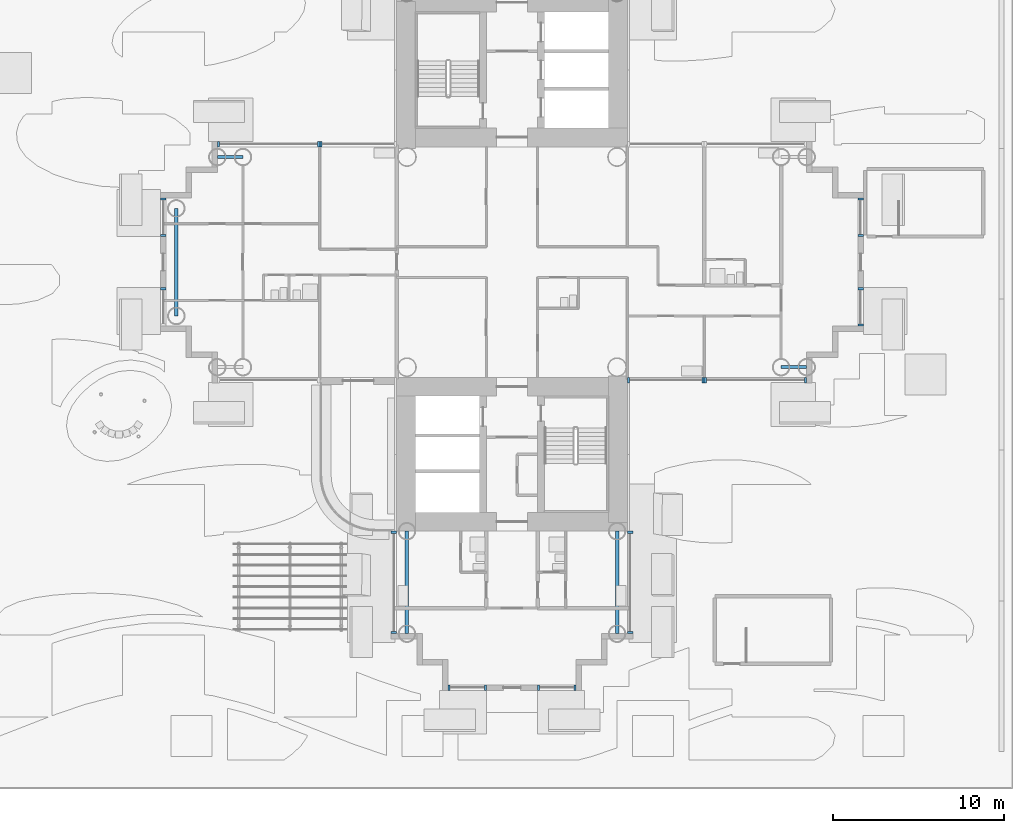
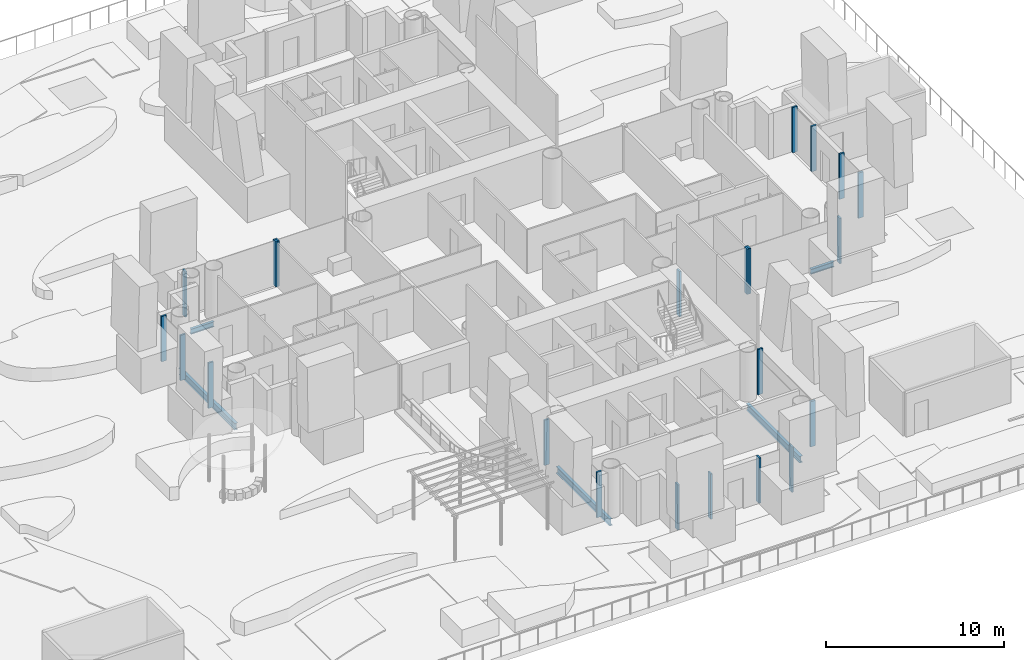
# One storey, part 15 of 40: 22 members, 5 beams, 12 elements without a shape of their own.
"""IFC4 building model written with IfcOpenShell, lengths in metres."""

from ifc_helpers import new_model, si_unit, direction, frame, origin, origin_2d, place, context, subcontext, project, spatial, rectangle, i_section, extrude, material, layer, layer_set, material_profile, profile_set, type_object, element, aggregate, save


model = new_model("IFC4")

# Units and contexts
model_context = context("Model", 3, precision=1e-05, world=origin(), true_north=direction((0.0, 1.0)))
body_context = subcontext(model_context, "Body", "Model", "MODEL_VIEW")
ifc_project = project(units=[si_unit("LENGTHUNIT", "METRE"), si_unit("AREAUNIT", "SQUARE_METRE"), si_unit("VOLUMEUNIT", "CUBIC_METRE"), si_unit("PLANEANGLEUNIT", "RADIAN"), si_unit("MASSUNIT", "GRAM", prefix="KILO")], contexts=[model_context])

# Site, building, storey
site_placement = place(None, origin())
site = spatial("IfcSite", under=ifc_project, at=site_placement, CompositionType="ELEMENT")
building_placement = place(site_placement, origin())
building = spatial("IfcBuilding", under=site, at=building_placement, Name="Ipe Terrace Towers", CompositionType="ELEMENT")
storey_placement = place(building_placement, frame((0.0, 0.0, 24.5)))
storey = spatial("IfcBuildingStorey", under=building, at=storey_placement, Name="L05", CompositionType="ELEMENT", Elevation=24.5)

# Beams
ifc_material_1 = material(Name="Steel S355", Category="steel")
ifc_material_profile_1 = material_profile(ifc_material_1, i_section(OverallWidth=0.175048828125, OverallDepth=0.35009765625, WebThickness=0.007080078125, FlangeThickness=0.010986328125, at=origin_2d()), Name="H-350x175x7x11")
ifc_profile_set_1 = profile_set([ifc_material_profile_1], Name="Steel S355")
beam_type_1 = type_object("IfcBeamType", Name="H04 EDGE BEAM H-350x175x7x11", PredefinedType="BEAM", material=ifc_profile_set_1)
for number, where, z_axis, x_axis, name in (
    (1, (20.25, 6.14990234375, -0.574951171875), (-1.0, 0.0, 0.0), (0.0, -1.0, 0.0), "Edge beam T2-EB-B03-B05"),
    (2, (51.75, -6.14990234375, -0.574951171875), (1.0, 0.0, 0.0), (0.0, 1.0, 0.0), "Edge beam T2-EB-D03-D05"),
):
    element("IfcBeam", number, at=place(storey_placement, frame(where, z_axis=z_axis, x_axis=x_axis)), inside=storey, type_object=beam_type_1, Name=name, PredefinedType="BEAM", context=body_context, shape_type="SweptSolid", body=[
        extrude(i_section(OverallWidth=0.175048828125, OverallDepth=0.35009765625, WebThickness=0.007080078125, FlangeThickness=0.010986328125, at=origin_2d()), origin(), (0.0, 0.0, 1.0), 1.5),
    ])
ifc_material_2 = material(Name="Steel S355", Category="steel")
ifc_material_profile_2 = material_profile(ifc_material_2, i_section(OverallWidth=0.199951171875, OverallDepth=0.449951171875, WebThickness=0.009033203125, FlangeThickness=0.013916015625, at=origin_2d()), Name="H-450x200x9x14")
ifc_profile_set_2 = profile_set([ifc_material_profile_2], Name="Steel S355")
beam_type_2 = type_object("IfcBeamType", Name="H08 EDGE BEAM H-450x200x9x14", PredefinedType="BEAM", material=ifc_profile_set_2)
beam_placement = place(storey_placement, frame((16.35009765625, 3.14990234375, -0.625), z_axis=(0.0, -1.0, 0.0), x_axis=(1.0, 0.0, 0.0)))
element("IfcBeam", 3, at=beam_placement, inside=storey, type_object=beam_type_2, Name="Edge beam T2-EB-B07-B08", PredefinedType="BEAM", context=body_context, shape_type="SweptSolid", body=[
    extrude(i_section(OverallWidth=0.199951171875, OverallDepth=0.449951171875, WebThickness=0.009033203125, FlangeThickness=0.013916015625, at=origin_2d()), origin(), (0.0, 0.0, 1.0), 6.2998046875),
])
for number, where, z_axis, x_axis, name in (
    (4, (42.14990234375, -15.75, -0.625), (0.0, -1.0, 0.0), (1.0, 0.0, 0.0), "Edge beam T2-EB-C01-C03"),
    (5, (29.85009765625, -15.75, -0.625), (0.0, -1.0, 0.0), (1.0, 0.0, 0.0), "Edge beam T2-EB-C02-C04"),
):
    element("IfcBeam", number, at=place(storey_placement, frame(where, z_axis=z_axis, x_axis=x_axis)), inside=storey, type_object=beam_type_2, Name=name, PredefinedType="BEAM", context=body_context, shape_type="SweptSolid", body=[
        extrude(i_section(OverallWidth=0.199951171875, OverallDepth=0.449951171875, WebThickness=0.009033203125, FlangeThickness=0.013916015625, at=origin_2d()), origin(), (0.0, 0.0, 1.0), 6.0),
    ])

# Curtain wall, members
ifc_material_3 = material(Name="Aluminium alloy 6063-T6", Category="aluminium")
ifc_layer = layer(ifc_material_3, 0.320068359375)
ifc_layer_set = layer_set([ifc_layer], Name="TOWER UNITISED CURTAIN WALL")
curtain_wall_type = type_object("IfcCurtainWallType", Name="TOWER UNITISED CURTAIN WALL", PredefinedType="NOTDEFINED", material=ifc_layer_set)
curtain_wall_1_placement = place(storey_placement, origin())
curtain_wall_1 = element("IfcCurtainWall", 6, at=curtain_wall_1_placement, inside=storey, type_object=curtain_wall_type, Name="T2-CW-L05-04a curtain wall", PredefinedType="NOTDEFINED")
ifc_material_4 = material(Name="Aluminium alloy 6063-T6", Category="aluminium")
ifc_material_profile_3 = material_profile(ifc_material_4, rectangle(XDim=0.320068359375, YDim=0.1201171875, at=origin_2d()), Name="TOWER UNITISED CORNER MULLION 320 x 120")
ifc_profile_set_3 = profile_set([ifc_material_profile_3], Name="Aluminium alloy 6063-T6")
member_type = type_object("IfcMemberType", Name="TOWER UNITISED CORNER MULLION 320 x 120", PredefinedType="MULLION", material=ifc_profile_set_3)
member_1_placement = place(storey_placement, frame((42.909912109375, -21.68994140625, 0.0), z_axis=(0.0, 0.0, 1.0), x_axis=(1.0, 0.0, 0.0)))
member_1 = element("IfcMember", 7, at=member_1_placement, type_object=member_type, Name="T2-CW-L05-04a mullion 1", PredefinedType="MULLION", context=body_context, shape_type="SweptSolid", body=[
    extrude(rectangle(XDim=0.320068359375, YDim=0.1201171875, at=origin_2d()), origin(), (0.0, 0.0, 1.0), 3.10009765625),
])
member_2_placement = place(storey_placement, frame((42.909912109375, -15.81103515625, 0.0), z_axis=(0.0, 0.0, 1.0), x_axis=(1.0, 0.0, 0.0)))
member_2 = element("IfcMember", 8, at=member_2_placement, type_object=member_type, Name="T2-CW-L05-04a mullion 2", PredefinedType="MULLION", context=body_context, shape_type="SweptSolid", body=[
    extrude(rectangle(XDim=0.320068359375, YDim=0.1201171875, at=origin_2d()), origin(), (0.0, 0.0, 1.0), 3.10009765625),
])
aggregate(curtain_wall_1, [member_1, member_2])

curtain_wall_2_placement = place(storey_placement, origin())
curtain_wall_2 = element("IfcCurtainWall", 9, at=curtain_wall_2_placement, inside=storey, type_object=curtain_wall_type, Name="T2-CW-L05-06a curtain wall", PredefinedType="NOTDEFINED")
member_3_placement = place(storey_placement, frame((42.81005859375, -6.909912109375, 0.0), z_axis=(0.0, 0.0, 1.0), x_axis=(0.0, -1.0, 0.0)))
member_3 = element("IfcMember", 10, at=member_3_placement, type_object=member_type, Name="T2-CW-L05-06a mullion 1", PredefinedType="MULLION", context=body_context, shape_type="SweptSolid", body=[
    extrude(rectangle(XDim=0.320068359375, YDim=0.1201171875, at=origin_2d()), origin(), (0.0, 0.0, 1.0), 3.10009765625),
])
member_4_placement = place(storey_placement, frame((47.18994140625, -6.909912109375, 0.0), z_axis=(0.0, 0.0, 1.0), x_axis=(0.0, -1.0, 0.0)))
member_4 = element("IfcMember", 11, at=member_4_placement, type_object=member_type, Name="T2-CW-L05-06a mullion 2", PredefinedType="MULLION", context=body_context, shape_type="SweptSolid", body=[
    extrude(rectangle(XDim=0.320068359375, YDim=0.1201171875, at=origin_2d()), origin(), (0.0, 0.0, 1.0), 3.10009765625),
])
aggregate(curtain_wall_2, [member_3, member_4])

curtain_wall_3_placement = place(storey_placement, origin())
curtain_wall_3 = element("IfcCurtainWall", 12, at=curtain_wall_3_placement, inside=storey, type_object=curtain_wall_type, Name="T2-CW-L05-07a curtain wall", PredefinedType="NOTDEFINED")
member_5_placement = place(storey_placement, frame((47.31005859375, -6.909912109375, 0.0), z_axis=(0.0, 0.0, 1.0), x_axis=(0.0, -1.0, 0.0)))
member_5 = element("IfcMember", 13, at=member_5_placement, type_object=member_type, Name="T2-CW-L05-07a mullion 1", PredefinedType="MULLION", context=body_context, shape_type="SweptSolid", body=[
    extrude(rectangle(XDim=0.320068359375, YDim=0.1201171875, at=origin_2d()), origin(), (0.0, 0.0, 1.0), 3.10009765625),
])
member_6_placement = place(storey_placement, frame((53.18994140625, -6.909912109375, 0.0), z_axis=(0.0, 0.0, 1.0), x_axis=(0.0, -1.0, 0.0)))
member_6 = element("IfcMember", 14, at=member_6_placement, type_object=member_type, Name="T2-CW-L05-07a mullion 2", PredefinedType="MULLION", context=body_context, shape_type="SweptSolid", body=[
    extrude(rectangle(XDim=0.320068359375, YDim=0.1201171875, at=origin_2d()), origin(), (0.0, 0.0, 1.0), 3.10009765625),
])
aggregate(curtain_wall_3, [member_5, member_6])

curtain_wall_4_placement = place(storey_placement, origin())
curtain_wall_4 = element("IfcCurtainWall", 15, at=curtain_wall_4_placement, inside=storey, type_object=curtain_wall_type, Name="T2-CW-L05-12a curtain wall", PredefinedType="NOTDEFINED")
member_7_placement = place(storey_placement, frame((56.409912109375, -3.68994140625, 0.0), z_axis=(0.0, 0.0, 1.0), x_axis=(1.0, 0.0, 0.0)))
member_7 = element("IfcMember", 16, at=member_7_placement, type_object=member_type, Name="T2-CW-L05-12a mullion 1", PredefinedType="MULLION", context=body_context, shape_type="SweptSolid", body=[
    extrude(rectangle(XDim=0.320068359375, YDim=0.1201171875, at=origin_2d()), origin(), (0.0, 0.0, 1.0), 3.10009765625),
])
member_8_placement = place(storey_placement, frame((56.409912109375, -1.56005859375, 0.0), z_axis=(0.0, 0.0, 1.0), x_axis=(1.0, 0.0, 0.0)))
member_8 = element("IfcMember", 17, at=member_8_placement, type_object=member_type, Name="T2-CW-L05-12a mullion 2", PredefinedType="MULLION", context=body_context, shape_type="SweptSolid", body=[
    extrude(rectangle(XDim=0.320068359375, YDim=0.1201171875, at=origin_2d()), origin(), (0.0, 0.0, 1.0), 3.10009765625),
])
aggregate(curtain_wall_4, [member_7, member_8])

curtain_wall_5_placement = place(storey_placement, origin())
curtain_wall_5 = element("IfcCurtainWall", 18, at=curtain_wall_5_placement, inside=storey, type_object=curtain_wall_type, Name="T2-CW-L05-12c curtain wall", PredefinedType="NOTDEFINED")
member_9_placement = place(storey_placement, frame((56.409912109375, 1.56005859375, 0.0), z_axis=(0.0, 0.0, 1.0), x_axis=(1.0, 0.0, 0.0)))
member_9 = element("IfcMember", 19, at=member_9_placement, type_object=member_type, Name="T2-CW-L05-12c mullion 1", PredefinedType="MULLION", context=body_context, shape_type="SweptSolid", body=[
    extrude(rectangle(XDim=0.320068359375, YDim=0.1201171875, at=origin_2d()), origin(), (0.0, 0.0, 1.0), 3.10009765625),
])
member_10_placement = place(storey_placement, frame((56.409912109375, 3.68994140625, 0.0), z_axis=(0.0, 0.0, 1.0), x_axis=(1.0, 0.0, 0.0)))
member_10 = element("IfcMember", 20, at=member_10_placement, type_object=member_type, Name="T2-CW-L05-12c mullion 2", PredefinedType="MULLION", context=body_context, shape_type="SweptSolid", body=[
    extrude(rectangle(XDim=0.320068359375, YDim=0.1201171875, at=origin_2d()), origin(), (0.0, 0.0, 1.0), 3.10009765625),
])
aggregate(curtain_wall_5, [member_9, member_10])

# Curtain wall, member
curtain_wall_6_placement = place(storey_placement, origin())
curtain_wall_6 = element("IfcCurtainWall", 21, at=curtain_wall_6_placement, inside=storey, type_object=curtain_wall_type, Name="T2-CW-L05-32a curtain wall", PredefinedType="NOTDEFINED")
member_11_placement = place(storey_placement, frame((24.81005859375, 6.909912109375, 0.0), z_axis=(0.0, 0.0, 1.0), x_axis=(0.0, 1.0, 0.0)))
member_11 = element("IfcMember", 22, at=member_11_placement, type_object=member_type, Name="T2-CW-L05-32a mullion 2", PredefinedType="MULLION", context=body_context, shape_type="SweptSolid", body=[
    extrude(rectangle(XDim=0.320068359375, YDim=0.1201171875, at=origin_2d()), origin(), (0.0, 0.0, 1.0), 3.10009765625),
])
aggregate(curtain_wall_6, [member_11])

# Curtain wall, members
curtain_wall_7_placement = place(storey_placement, origin())
curtain_wall_7 = element("IfcCurtainWall", 23, at=curtain_wall_7_placement, inside=storey, type_object=curtain_wall_type, Name="T2-CW-L05-33a curtain wall", PredefinedType="NOTDEFINED")
member_12_placement = place(storey_placement, frame((24.68994140625, 6.909912109375, 0.0), z_axis=(0.0, 0.0, 1.0), x_axis=(0.0, 1.0, 0.0)))
member_12 = element("IfcMember", 24, at=member_12_placement, type_object=member_type, Name="T2-CW-L05-33a mullion 1", PredefinedType="MULLION", context=body_context, shape_type="SweptSolid", body=[
    extrude(rectangle(XDim=0.320068359375, YDim=0.1201171875, at=origin_2d()), origin(), (0.0, 0.0, 1.0), 3.10009765625),
])
member_13_placement = place(storey_placement, frame((18.81005859375, 6.909912109375, 0.0), z_axis=(0.0, 0.0, 1.0), x_axis=(0.0, 1.0, 0.0)))
member_13 = element("IfcMember", 25, at=member_13_placement, type_object=member_type, Name="T2-CW-L05-33a mullion 2", PredefinedType="MULLION", context=body_context, shape_type="SweptSolid", body=[
    extrude(rectangle(XDim=0.320068359375, YDim=0.1201171875, at=origin_2d()), origin(), (0.0, 0.0, 1.0), 3.10009765625),
])
aggregate(curtain_wall_7, [member_12, member_13])

curtain_wall_8_placement = place(storey_placement, origin())
curtain_wall_8 = element("IfcCurtainWall", 26, at=curtain_wall_8_placement, inside=storey, type_object=curtain_wall_type, Name="T2-CW-L05-38a curtain wall", PredefinedType="NOTDEFINED")
member_14_placement = place(storey_placement, frame((15.590087890625, 3.68994140625, 0.0), z_axis=(0.0, 0.0, 1.0), x_axis=(-1.0, 0.0, 0.0)))
member_14 = element("IfcMember", 27, at=member_14_placement, type_object=member_type, Name="T2-CW-L05-38a mullion 1", PredefinedType="MULLION", context=body_context, shape_type="SweptSolid", body=[
    extrude(rectangle(XDim=0.320068359375, YDim=0.1201171875, at=origin_2d()), origin(), (0.0, 0.0, 1.0), 3.10009765625),
])
member_15_placement = place(storey_placement, frame((15.590087890625, 1.56005859375, 0.0), z_axis=(0.0, 0.0, 1.0), x_axis=(-1.0, 0.0, 0.0)))
member_15 = element("IfcMember", 28, at=member_15_placement, type_object=member_type, Name="T2-CW-L05-38a mullion 2", PredefinedType="MULLION", context=body_context, shape_type="SweptSolid", body=[
    extrude(rectangle(XDim=0.320068359375, YDim=0.1201171875, at=origin_2d()), origin(), (0.0, 0.0, 1.0), 3.10009765625),
])
aggregate(curtain_wall_8, [member_14, member_15])

# Curtain wall, member
curtain_wall_9_placement = place(storey_placement, origin())
curtain_wall_9 = element("IfcCurtainWall", 29, at=curtain_wall_9_placement, inside=storey, type_object=curtain_wall_type, Name="T2-CW-L05-38c curtain wall", PredefinedType="NOTDEFINED")
member_16_placement = place(storey_placement, frame((15.590087890625, -1.56005859375, 0.0), z_axis=(0.0, 0.0, 1.0), x_axis=(-1.0, 0.0, 0.0)))
member_16 = element("IfcMember", 30, at=member_16_placement, type_object=member_type, Name="T2-CW-L05-38c mullion 1", PredefinedType="MULLION", context=body_context, shape_type="SweptSolid", body=[
    extrude(rectangle(XDim=0.320068359375, YDim=0.1201171875, at=origin_2d()), origin(), (0.0, 0.0, 1.0), 3.10009765625),
])
aggregate(curtain_wall_9, [member_16])

# Curtain wall, members
curtain_wall_10_placement = place(storey_placement, origin())
curtain_wall_10 = element("IfcCurtainWall", 31, at=curtain_wall_10_placement, inside=storey, type_object=curtain_wall_type, Name="T2-CW-L05-46b curtain wall", PredefinedType="NOTDEFINED")
member_17_placement = place(storey_placement, frame((29.090087890625, -15.81103515625, 0.0), z_axis=(0.0, 0.0, 1.0), x_axis=(-1.0, 0.0, 0.0)))
member_17 = element("IfcMember", 32, at=member_17_placement, type_object=member_type, Name="T2-CW-L05-46b mullion 1", PredefinedType="MULLION", context=body_context, shape_type="SweptSolid", body=[
    extrude(rectangle(XDim=0.320068359375, YDim=0.1201171875, at=origin_2d()), origin(), (0.0, 0.0, 1.0), 3.10009765625),
])
member_18_placement = place(storey_placement, frame((29.090087890625, -21.68994140625, 0.0), z_axis=(0.0, 0.0, 1.0), x_axis=(-1.0, 0.0, 0.0)))
member_18 = element("IfcMember", 33, at=member_18_placement, type_object=member_type, Name="T2-CW-L05-46b mullion 2", PredefinedType="MULLION", context=body_context, shape_type="SweptSolid", body=[
    extrude(rectangle(XDim=0.320068359375, YDim=0.1201171875, at=origin_2d()), origin(), (0.0, 0.0, 1.0), 3.10009765625),
])
aggregate(curtain_wall_10, [member_17, member_18])

curtain_wall_11_placement = place(storey_placement, origin())
curtain_wall_11 = element("IfcCurtainWall", 34, at=curtain_wall_11_placement, inside=storey, type_object=curtain_wall_type, Name="T2-CW-L05-51a curtain wall", PredefinedType="NOTDEFINED")
member_19_placement = place(storey_placement, frame((32.31005859375, -24.909912109375, 0.0), z_axis=(0.0, 0.0, 1.0), x_axis=(0.0, -1.0, 0.0)))
member_19 = element("IfcMember", 35, at=member_19_placement, type_object=member_type, Name="T2-CW-L05-51a mullion 1", PredefinedType="MULLION", context=body_context, shape_type="SweptSolid", body=[
    extrude(rectangle(XDim=0.320068359375, YDim=0.1201171875, at=origin_2d()), origin(), (0.0, 0.0, 1.0), 3.10009765625),
])
member_20_placement = place(storey_placement, frame((34.43994140625, -24.909912109375, 0.0), z_axis=(0.0, 0.0, 1.0), x_axis=(0.0, -1.0, 0.0)))
member_20 = element("IfcMember", 36, at=member_20_placement, type_object=member_type, Name="T2-CW-L05-51a mullion 2", PredefinedType="MULLION", context=body_context, shape_type="SweptSolid", body=[
    extrude(rectangle(XDim=0.320068359375, YDim=0.1201171875, at=origin_2d()), origin(), (0.0, 0.0, 1.0), 3.10009765625),
])
aggregate(curtain_wall_11, [member_19, member_20])

curtain_wall_12_placement = place(storey_placement, origin())
curtain_wall_12 = element("IfcCurtainWall", 37, at=curtain_wall_12_placement, inside=storey, type_object=curtain_wall_type, Name="T2-CW-L05-51c curtain wall", PredefinedType="NOTDEFINED")
member_21_placement = place(storey_placement, frame((37.56005859375, -24.909912109375, 0.0), z_axis=(0.0, 0.0, 1.0), x_axis=(0.0, -1.0, 0.0)))
member_21 = element("IfcMember", 38, at=member_21_placement, type_object=member_type, Name="T2-CW-L05-51c mullion 1", PredefinedType="MULLION", context=body_context, shape_type="SweptSolid", body=[
    extrude(rectangle(XDim=0.320068359375, YDim=0.1201171875, at=origin_2d()), origin(), (0.0, 0.0, 1.0), 3.10009765625),
])
member_22_placement = place(storey_placement, frame((39.68994140625, -24.909912109375, 0.0), z_axis=(0.0, 0.0, 1.0), x_axis=(0.0, -1.0, 0.0)))
member_22 = element("IfcMember", 39, at=member_22_placement, type_object=member_type, Name="T2-CW-L05-51c mullion 2", PredefinedType="MULLION", context=body_context, shape_type="SweptSolid", body=[
    extrude(rectangle(XDim=0.320068359375, YDim=0.1201171875, at=origin_2d()), origin(), (0.0, 0.0, 1.0), 3.10009765625),
])
aggregate(curtain_wall_12, [member_21, member_22])

save(model, "model.ifc")
